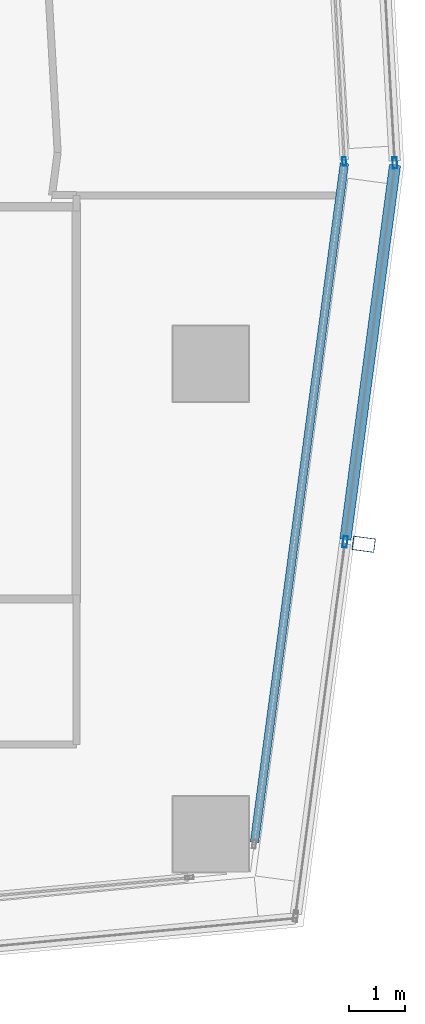
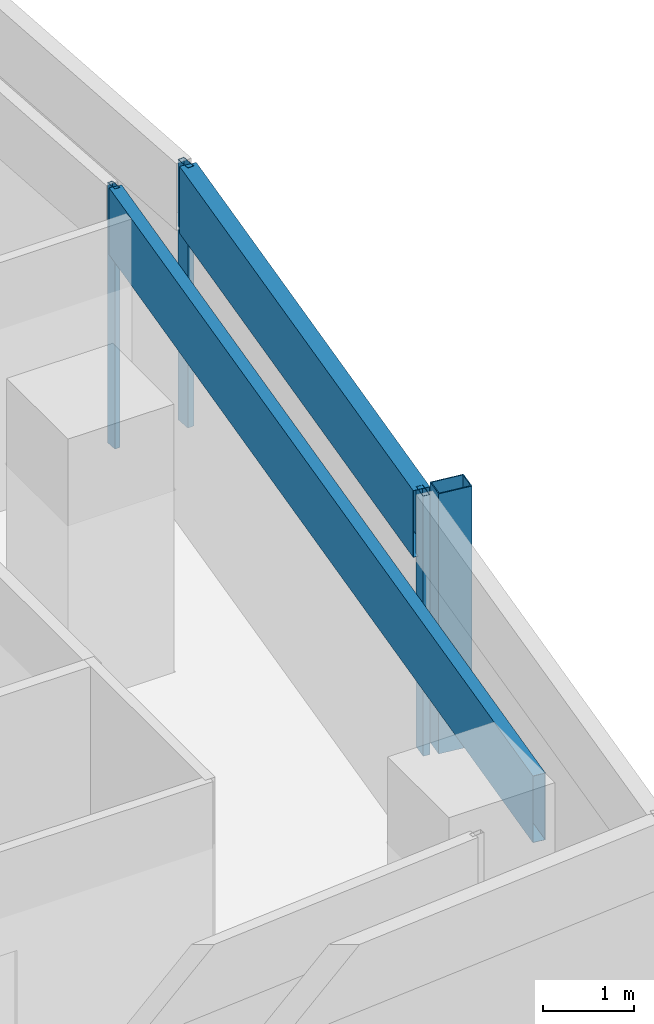
# One storey, part 11 of 35: 6 members, 4 elements without a shape of their own.
"""IFC4 building model written with IfcOpenShell, lengths in metres."""

from ifc_helpers import new_model, si_unit, direction, frame, origin, origin_2d, place, context, subcontext, project, spatial, hollow_rectangle, extrude, material, material_profile, profile_set, type_object, element, aggregate, save


model = new_model("IFC4")

# Units and contexts
model_context = context("Model", 3, precision=1e-05, world=origin(), true_north=direction((0.0, 1.0)))
body_context = subcontext(model_context, "Body", "Model", "MODEL_VIEW")
ifc_project = project(units=[si_unit("LENGTHUNIT", "METRE"), si_unit("AREAUNIT", "SQUARE_METRE"), si_unit("VOLUMEUNIT", "CUBIC_METRE"), si_unit("PLANEANGLEUNIT", "RADIAN"), si_unit("MASSUNIT", "GRAM", prefix="KILO")], contexts=[model_context])

# Site, building, storey
site_placement = place(None, origin())
site = spatial("IfcSite", under=ifc_project, at=site_placement, CompositionType="ELEMENT")
building_placement = place(site_placement, origin())
building = spatial("IfcBuilding", under=site, at=building_placement, Name="Rekha Terrace Tower", CompositionType="ELEMENT")
storey_placement = place(building_placement, frame((0.0, 0.0, 191.449951171875)))
storey = spatial("IfcBuildingStorey", under=building, at=storey_placement, Name="L48", CompositionType="ELEMENT", Elevation=191.449951171875)

# Curtain wall, member
ifc_material_1 = material(Name="Aluminium framing", Category="aluminium")
curtain_wall_type_1 = type_object("IfcCurtainWallType", Name="CW2 double skin outer glazing", PredefinedType="USERDEFINED", material=ifc_material_1)
curtain_wall_1_placement = place(storey_placement, origin())
curtain_wall_1 = element("IfcCurtainWall", 1, at=curtain_wall_1_placement, inside=storey, type_object=curtain_wall_type_1, Name="CW2 double skin outer glazing", ObjectType="DOUBLE SKIN OUTER GLAZING", PredefinedType="USERDEFINED")
ifc_material_2 = material(Name="Steel S355 with fluorocarbon finish", Category="steel")
ifc_material_profile_1 = material_profile(ifc_material_2, hollow_rectangle(XDim=0.25, YDim=0.39990234375, WallThickness=0.012451171875, at=origin_2d()), Name="RHS400x250x12.5")
ifc_profile_set_1 = profile_set([ifc_material_profile_1], Name="Steel S355 with fluorocarbon finish")
member_type_1 = type_object("IfcMemberType", Name="BL1 facade blade RHS 400 x 250", PredefinedType="USERDEFINED", material=ifc_profile_set_1)
member_1_placement = place(storey_placement, frame((61.531005859375, 21.977783203125, 0.0), z_axis=(0.0, 0.0, 1.0), x_axis=(0.131303100637, 0.991342269735, 0.0)))
member_1 = element("IfcMember", 2, at=member_1_placement, type_object=member_type_1, Name="Facade blade", ObjectType="FACADE BLADE", PredefinedType="USERDEFINED", context=body_context, shape_type="SweptSolid", body=[
    extrude(hollow_rectangle(XDim=0.25, YDim=0.39990234375, WallThickness=0.012451171875, at=origin_2d()), origin(), (0.0, 0.0, 1.0), 3.5),
])

curtain_wall_type_2 = type_object("IfcCurtainWallType", Name="CW1 double skin inner glazing", PredefinedType="USERDEFINED", material=ifc_material_1)
curtain_wall_2_placement = place(storey_placement, origin())
curtain_wall_2 = element("IfcCurtainWall", 3, at=curtain_wall_2_placement, inside=storey, type_object=curtain_wall_type_2, Name="CW1 double skin inner glazing", ObjectType="DOUBLE SKIN INNER GLAZING", PredefinedType="USERDEFINED")
ifc_material_3 = material(Name="Aluminium mullion section", Category="aluminium")
ifc_material_profile_2 = material_profile(ifc_material_3, hollow_rectangle(XDim=0.06494140625, YDim=0.14990234375, WallThickness=0.00390625, at=origin_2d()), Name="AL RHS 65x150")
ifc_profile_set_2 = profile_set([ifc_material_profile_2], Name="Aluminium mullion section")
member_type_2 = type_object("IfcMemberType", Name="CW1 mullion RHS 65 x 150", PredefinedType="MULLION", material=ifc_profile_set_2)
member_2_placement = place(storey_placement, frame((61.18408203125, 28.812255859375, 0.0), z_axis=(0.0, 0.0, 1.0), x_axis=(-0.998392782919, -0.05667319486, 0.0)))
member_2 = element("IfcMember", 4, at=member_2_placement, type_object=member_type_2, Name="CW1 mullion 1", PredefinedType="MULLION", context=body_context, shape_type="SweptSolid", body=[
    extrude(hollow_rectangle(XDim=0.06494140625, YDim=0.14990234375, WallThickness=0.00390625, at=origin_2d()), origin(), (0.0, 0.0, 1.0), 3.5),
])
aggregate(curtain_wall_2, [member_2])

curtain_wall_3_placement = place(storey_placement, origin())
curtain_wall_3 = element("IfcCurtainWall", 5, at=curtain_wall_3_placement, inside=storey, type_object=curtain_wall_type_2, Name="CW1 double skin inner glazing", ObjectType="DOUBLE SKIN INNER GLAZING", PredefinedType="USERDEFINED")
ifc_material_4 = material(Name="Insulated aluminium spandrel box", Category="aluminium")
ifc_material_profile_3 = material_profile(ifc_material_4, hollow_rectangle(XDim=0.14990234375, YDim=0.89990234375, WallThickness=0.0029296875, at=origin_2d()), Name="AL SPANDREL BOX 150x900")
ifc_profile_set_3 = profile_set([ifc_material_profile_3], Name="Insulated aluminium spandrel box")
member_type_3 = type_object("IfcMemberType", Name="CW1 spandrel transom 150 x 900", PredefinedType="USERDEFINED", material=ifc_profile_set_3)
member_3_placement = place(storey_placement, frame((59.580322265625, 16.656982421875, 3.050048828125), z_axis=(0.131307111352, 0.991341738508, 0.0), x_axis=(-0.991341738508, 0.131307111352, 0.0)))
member_3 = element("IfcMember", 6, at=member_3_placement, type_object=member_type_3, Name="CW1 spandrel transom 1", ObjectType="TRANSOM", PredefinedType="USERDEFINED", context=body_context, shape_type="SweptSolid", body=[
    extrude(hollow_rectangle(XDim=0.14990234375, YDim=0.89990234375, WallThickness=0.0029296875, at=origin_2d()), origin(), (0.0, 0.0, 1.0), 12.228759765625),
])
aggregate(curtain_wall_3, [member_3])

# Member
ifc_material_profile_4 = material_profile(ifc_material_3, hollow_rectangle(XDim=0.080078125, YDim=0.199951171875, WallThickness=0.00390625, at=origin_2d()), Name="AL RHS 80x200")
ifc_profile_set_4 = profile_set([ifc_material_profile_4], Name="Aluminium mullion section")
member_type_4 = type_object("IfcMemberType", Name="CW2 mullion RHS 80 x 200", PredefinedType="MULLION", material=ifc_profile_set_4)
member_4_placement = place(storey_placement, frame((61.19873046875, 22.021728515625, 0.0), z_axis=(0.0, 0.0, 1.0), x_axis=(-0.991342203187, 0.131303603075, 0.0)))
member_4 = element("IfcMember", 7, at=member_4_placement, type_object=member_type_4, Name="CW2 mullion 2", PredefinedType="MULLION", context=body_context, shape_type="SweptSolid", body=[
    extrude(hollow_rectangle(XDim=0.080078125, YDim=0.199951171875, WallThickness=0.00390625, at=origin_2d()), origin(), (0.0, 0.0, 1.0), 3.5),
])

# Curtain wall, member
curtain_wall_4_placement = place(storey_placement, origin())
curtain_wall_4 = element("IfcCurtainWall", 8, at=curtain_wall_4_placement, inside=storey, type_object=curtain_wall_type_1, Name="CW2 double skin outer glazing", ObjectType="DOUBLE SKIN OUTER GLAZING", PredefinedType="USERDEFINED")
member_5_placement = place(storey_placement, frame((62.087158203125, 28.785888671875, 0.0), z_axis=(0.0, 0.0, 1.0), x_axis=(-0.998392782919, -0.05667319486, 0.0)))
member_5 = element("IfcMember", 9, at=member_5_placement, type_object=member_type_4, Name="CW2 mullion 1", PredefinedType="MULLION", context=body_context, shape_type="SweptSolid", body=[
    extrude(hollow_rectangle(XDim=0.080078125, YDim=0.199951171875, WallThickness=0.00390625, at=origin_2d()), origin(), (0.0, 0.0, 1.0), 3.5),
])
aggregate(curtain_wall_4, [member_5])

# Member
ifc_material_profile_5 = material_profile(ifc_material_4, hollow_rectangle(XDim=0.199951171875, YDim=0.89990234375, WallThickness=0.0029296875, at=origin_2d()), Name="AL SPANDREL BOX 200x900")
ifc_profile_set_5 = profile_set([ifc_material_profile_5], Name="Insulated aluminium spandrel box")
member_type_5 = type_object("IfcMemberType", Name="CW2 spandrel transom 200 x 900", PredefinedType="USERDEFINED", material=ifc_profile_set_5)
member_6_placement = place(storey_placement, frame((61.2041015625, 22.0615234375, 3.050048828125), z_axis=(0.131286165193, 0.991344512684, 0.0), x_axis=(-0.991344512684, 0.131286165193, 0.0)))
member_6 = element("IfcMember", 10, at=member_6_placement, type_object=member_type_5, Name="CW2 spandrel transom 2", ObjectType="TRANSOM", PredefinedType="USERDEFINED", context=body_context, shape_type="SweptSolid", body=[
    extrude(hollow_rectangle(XDim=0.199951171875, YDim=0.89990234375, WallThickness=0.0029296875, at=origin_2d()), origin(), (0.0, 0.0, 1.0), 6.742919921875),
])

aggregate(curtain_wall_1, [member_4, member_6, member_1])

save(model, "model.ifc")
